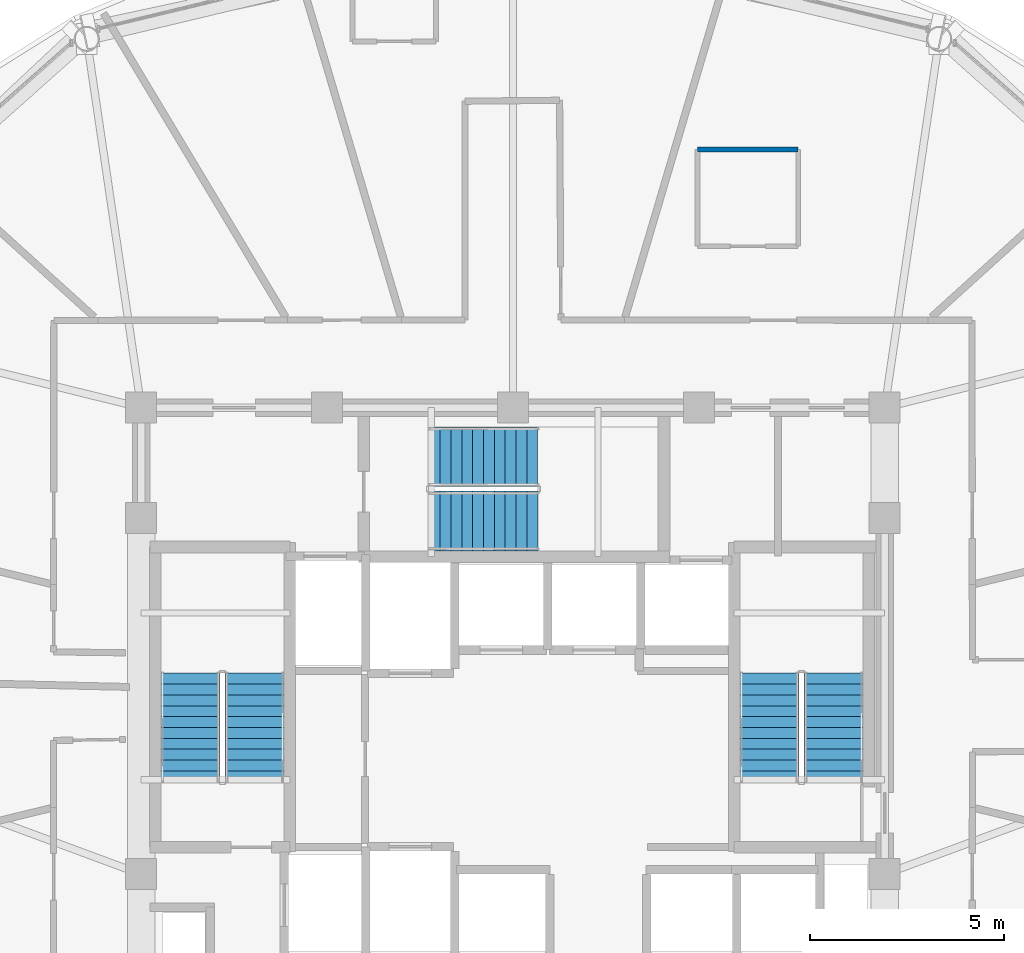
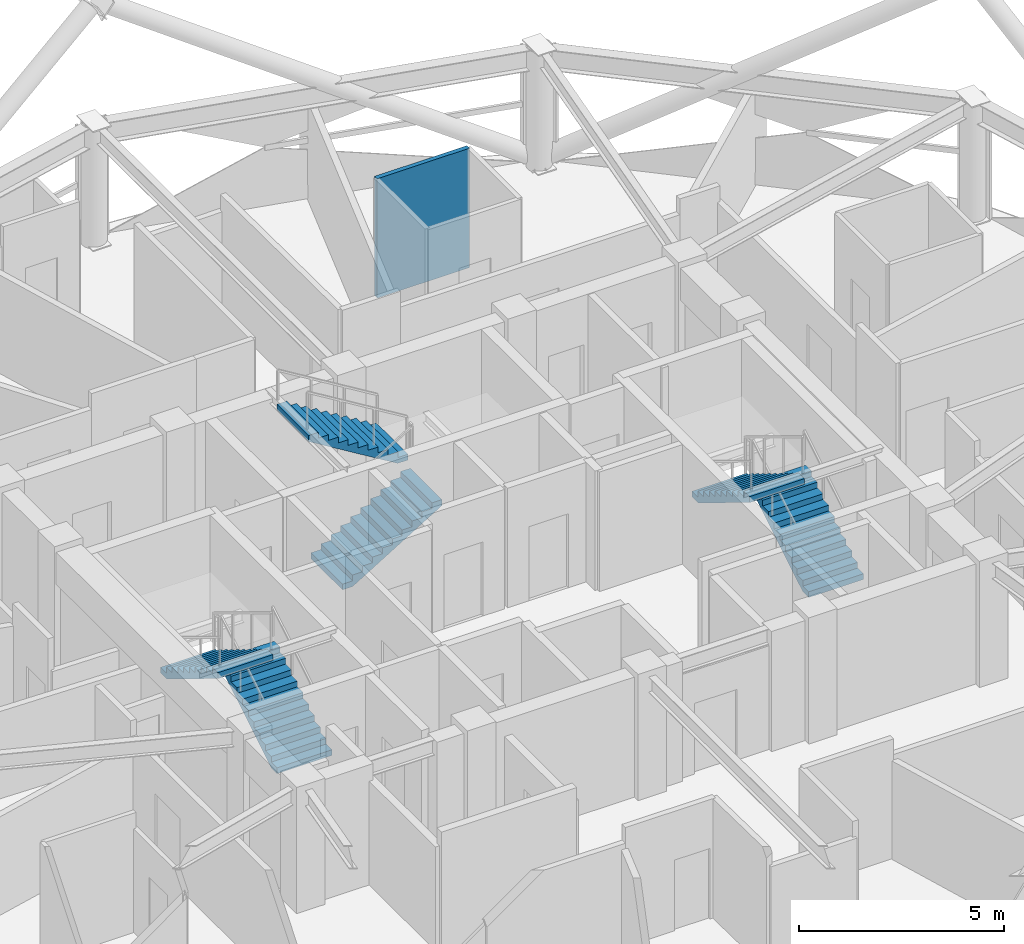
# One storey, part 25 of 29: 6 stair flights, 1 wall, 3 elements without a shape of their own.
"""IFC4 building model written with IfcOpenShell, lengths in metres."""

from ifc_helpers import new_model, si_unit, direction, frame, frame_2d, origin, place, context, subcontext, project, spatial, polyline, rectangle, outline, extrude, material, layer, layer_set, type_object, element, aggregate, save


model = new_model("IFC4")

# Units and contexts
model_context = context("Model", 3, precision=1e-05, world=origin(), true_north=direction((0.0, 1.0)))
body_context = subcontext(model_context, "Body", "Model", "MODEL_VIEW")
ifc_project = project(units=[si_unit("LENGTHUNIT", "METRE"), si_unit("AREAUNIT", "SQUARE_METRE"), si_unit("VOLUMEUNIT", "CUBIC_METRE"), si_unit("PLANEANGLEUNIT", "RADIAN"), si_unit("MASSUNIT", "GRAM", prefix="KILO")], contexts=[model_context])

# Site, building, storey
site_placement = place(None, origin())
site = spatial("IfcSite", under=ifc_project, at=site_placement, CompositionType="ELEMENT")
building_placement = place(site_placement, origin())
building = spatial("IfcBuilding", under=site, at=building_placement, Name="Vantalir Tower", CompositionType="ELEMENT")
storey_placement = place(building_placement, frame((0.0, 0.0, 227.39990234375)))
storey = spatial("IfcBuildingStorey", under=building, at=storey_placement, Name="L57", CompositionType="ELEMENT", Elevation=227.39990234375)

# Wall
ifc_material_1 = material(Name="Moisture-resistant en-suite partition", Category="gypsum")
ifc_layer = layer(ifc_material_1, 0.125)
ifc_layer_set = layer_set([ifc_layer], Name="Moisture-resistant en-suite partition")
wall_type = type_object("IfcWallType", Name="WL-BATH-125", PredefinedType="PARTITIONING", material=ifc_layer_set)
wall_placement = place(storey_placement, frame((36.26708984375, 39.117919921875, 0.0), z_axis=(0.0, 0.0, 1.0), x_axis=(1.0, 0.0, 0.0)))
element("IfcWall", 1, at=wall_placement, inside=storey, type_object=wall_type, Name="L57 En-suite 02 North Wall", PredefinedType="PARTITIONING", context=body_context, shape_type="SweptSolid", body=[
    extrude(rectangle(XDim=2.599853515625, YDim=0.125, at=frame_2d((1.2998046875, 0.0))), origin(), (0.0, 0.0, 1.0), 3.550048828125),
])

# Stair, stair flights
ifc_material_2 = material(Name="Concrete C40/50", Category="concrete")
stair_type = type_object("IfcStairType", Name="STR-CORE-1450", PredefinedType="HALF_TURN_STAIR", material=ifc_material_2)
stair_1_placement = place(storey_placement, origin())
stair_1 = element("IfcStair", 2, at=stair_1_placement, inside=storey, type_object=stair_type, Name="L57 Core Exit Stair 1", PredefinedType="HALF_TURN_STAIR")
stair_flight_type = type_object("IfcStairFlightType", Name="FLT-CORE-1450", PredefinedType="STRAIGHT", material=ifc_material_2)
stair_flight_1_placement = place(storey_placement, frame((24.830078125, 22.7900390625, 0.0), z_axis=(0.0, 0.0, 1.0), x_axis=(0.0, 1.0, 0.0)))
stair_flight_1 = element("IfcStairFlight", 3, at=stair_flight_1_placement, type_object=stair_flight_type, Name="ST1 flight 1", NumberOfRisers=11, NumberOfTreads=10, PredefinedType="STRAIGHT", RiserHeight=0.170454545, TreadLength=0.28, context=body_context, shape_type="SweptSolid", body=[
    extrude(outline(polyline([(0.0, 0.0), (0.0, 0.17041015625), (0.280029296875, 0.17041015625), (0.280029296875, 0.3408203125), (0.56005859375, 0.3408203125), (0.56005859375, 0.511474609375), (0.840087890625, 0.511474609375), (0.840087890625, 0.681884765625), (1.1201171875, 0.681884765625), (1.1201171875, 0.852294921875), (1.39990234375, 0.852294921875), (1.39990234375, 1.022705078125), (1.679931640625, 1.022705078125), (1.679931640625, 1.193115234375), (1.9599609375, 1.193115234375), (1.9599609375, 1.363525390625), (2.239990234375, 1.363525390625), (2.239990234375, 1.5341796875), (2.52001953125, 1.5341796875), (2.52001953125, 1.70458984375), (2.800048828125, 1.70458984375), (2.800048828125, 1.875), (2.800048828125, 1.529052734375), (0.288330078125, 0.0), (0.0, 0.0)])), frame((0.0, 0.77001953125, 0.0), z_axis=(0.0, -1.0, 0.0), x_axis=(1.0, 0.0, 0.0)), (0.0, 0.0, 1.0), 1.5400390625),
])
stair_flight_2_placement = place(storey_placement, frame((23.169921875, 25.590087890625, 1.875), z_axis=(0.0, 0.0, 1.0), x_axis=(0.0, -1.0, 0.0)))
stair_flight_2 = element("IfcStairFlight", 4, at=stair_flight_2_placement, type_object=stair_flight_type, Name="ST1 flight 2", NumberOfRisers=11, NumberOfTreads=10, PredefinedType="STRAIGHT", RiserHeight=0.170454545, TreadLength=0.28, context=body_context, shape_type="SweptSolid", body=[
    extrude(outline(polyline([(0.0, 0.0), (0.0, 0.17041015625), (0.280029296875, 0.17041015625), (0.280029296875, 0.3408203125), (0.56005859375, 0.3408203125), (0.56005859375, 0.511474609375), (0.840087890625, 0.511474609375), (0.840087890625, 0.681884765625), (1.1201171875, 0.681884765625), (1.1201171875, 0.852294921875), (1.39990234375, 0.852294921875), (1.39990234375, 1.022705078125), (1.679931640625, 1.022705078125), (1.679931640625, 1.193115234375), (1.9599609375, 1.193115234375), (1.9599609375, 1.363525390625), (2.239990234375, 1.363525390625), (2.239990234375, 1.5341796875), (2.52001953125, 1.5341796875), (2.52001953125, 1.70458984375), (2.800048828125, 1.70458984375), (2.800048828125, 1.875), (2.800048828125, 1.529052734375), (0.288330078125, 0.0), (0.0, 0.0)])), frame((0.0, 0.77001953125, 0.0), z_axis=(0.0, -1.0, 0.0), x_axis=(1.0, 0.0, 0.0)), (0.0, 0.0, 1.0), 1.5400390625),
])
aggregate(stair_1, [stair_flight_1, stair_flight_2])

stair_2_placement = place(storey_placement, origin())
stair_2 = element("IfcStair", 5, at=stair_2_placement, inside=storey, type_object=stair_type, Name="L57 Core Exit Stair 2", PredefinedType="HALF_TURN_STAIR")
stair_flight_3_placement = place(storey_placement, frame((39.780029296875, 22.7900390625, 0.0), z_axis=(0.0, 0.0, 1.0), x_axis=(0.0, 1.0, 0.0)))
stair_flight_3 = element("IfcStairFlight", 6, at=stair_flight_3_placement, type_object=stair_flight_type, Name="ST2 flight 1", NumberOfRisers=11, NumberOfTreads=10, PredefinedType="STRAIGHT", RiserHeight=0.170454545, TreadLength=0.28, context=body_context, shape_type="SweptSolid", body=[
    extrude(outline(polyline([(0.0, 0.0), (0.0, 0.17041015625), (0.280029296875, 0.17041015625), (0.280029296875, 0.3408203125), (0.56005859375, 0.3408203125), (0.56005859375, 0.511474609375), (0.840087890625, 0.511474609375), (0.840087890625, 0.681884765625), (1.1201171875, 0.681884765625), (1.1201171875, 0.852294921875), (1.39990234375, 0.852294921875), (1.39990234375, 1.022705078125), (1.679931640625, 1.022705078125), (1.679931640625, 1.193115234375), (1.9599609375, 1.193115234375), (1.9599609375, 1.363525390625), (2.239990234375, 1.363525390625), (2.239990234375, 1.5341796875), (2.52001953125, 1.5341796875), (2.52001953125, 1.70458984375), (2.800048828125, 1.70458984375), (2.800048828125, 1.875), (2.800048828125, 1.529052734375), (0.288330078125, 0.0), (0.0, 0.0)])), frame((0.0, 0.77001953125, 0.0), z_axis=(0.0, -1.0, 0.0), x_axis=(1.0, 0.0, 0.0)), (0.0, 0.0, 1.0), 1.5400390625),
])
stair_flight_4_placement = place(storey_placement, frame((38.1201171875, 25.590087890625, 1.875), z_axis=(0.0, 0.0, 1.0), x_axis=(0.0, -1.0, 0.0)))
stair_flight_4 = element("IfcStairFlight", 7, at=stair_flight_4_placement, type_object=stair_flight_type, Name="ST2 flight 2", NumberOfRisers=11, NumberOfTreads=10, PredefinedType="STRAIGHT", RiserHeight=0.170454545, TreadLength=0.28, context=body_context, shape_type="SweptSolid", body=[
    extrude(outline(polyline([(0.0, 0.0), (0.0, 0.17041015625), (0.280029296875, 0.17041015625), (0.280029296875, 0.3408203125), (0.56005859375, 0.3408203125), (0.56005859375, 0.511474609375), (0.840087890625, 0.511474609375), (0.840087890625, 0.681884765625), (1.1201171875, 0.681884765625), (1.1201171875, 0.852294921875), (1.39990234375, 0.852294921875), (1.39990234375, 1.022705078125), (1.679931640625, 1.022705078125), (1.679931640625, 1.193115234375), (1.9599609375, 1.193115234375), (1.9599609375, 1.363525390625), (2.239990234375, 1.363525390625), (2.239990234375, 1.5341796875), (2.52001953125, 1.5341796875), (2.52001953125, 1.70458984375), (2.800048828125, 1.70458984375), (2.800048828125, 1.875), (2.800048828125, 1.529052734375), (0.288330078125, 0.0), (0.0, 0.0)])), frame((0.0, 0.77001953125, 0.0), z_axis=(0.0, -1.0, 0.0), x_axis=(1.0, 0.0, 0.0)), (0.0, 0.0, 1.0), 1.5400390625),
])
aggregate(stair_2, [stair_flight_3, stair_flight_4])

stair_3_placement = place(storey_placement, origin())
stair_3 = element("IfcStair", 8, at=stair_3_placement, inside=storey, type_object=stair_type, Name="L57 Core Exit Stair 3", PredefinedType="HALF_TURN_STAIR")
stair_flight_5_placement = place(storey_placement, frame((29.340087890625, 29.52001953125, 0.0), z_axis=(0.0, 0.0, 1.0), x_axis=(1.0, 0.0, 0.0)))
stair_flight_5 = element("IfcStairFlight", 9, at=stair_flight_5_placement, type_object=stair_flight_type, Name="ST3 flight 1", NumberOfRisers=11, NumberOfTreads=10, PredefinedType="STRAIGHT", RiserHeight=0.170454545, TreadLength=0.28, context=body_context, shape_type="SweptSolid", body=[
    extrude(outline(polyline([(0.0, 0.0), (0.0, 0.17041015625), (0.280029296875, 0.17041015625), (0.280029296875, 0.3408203125), (0.56005859375, 0.3408203125), (0.56005859375, 0.511474609375), (0.840087890625, 0.511474609375), (0.840087890625, 0.681884765625), (1.1201171875, 0.681884765625), (1.1201171875, 0.852294921875), (1.39990234375, 0.852294921875), (1.39990234375, 1.022705078125), (1.679931640625, 1.022705078125), (1.679931640625, 1.193115234375), (1.9599609375, 1.193115234375), (1.9599609375, 1.363525390625), (2.239990234375, 1.363525390625), (2.239990234375, 1.5341796875), (2.52001953125, 1.5341796875), (2.52001953125, 1.70458984375), (2.800048828125, 1.70458984375), (2.800048828125, 1.875), (2.800048828125, 1.529052734375), (0.288330078125, 0.0), (0.0, 0.0)])), frame((0.0, 0.77001953125, 0.0), z_axis=(0.0, -1.0, 0.0), x_axis=(1.0, 0.0, 0.0)), (0.0, 0.0, 1.0), 1.5400390625),
])
stair_flight_6_placement = place(storey_placement, frame((32.139892578125, 31.179931640625, 1.875), z_axis=(0.0, 0.0, 1.0), x_axis=(-1.0, 0.0, 0.0)))
stair_flight_6 = element("IfcStairFlight", 10, at=stair_flight_6_placement, type_object=stair_flight_type, Name="ST3 flight 2", NumberOfRisers=11, NumberOfTreads=10, PredefinedType="STRAIGHT", RiserHeight=0.170454545, TreadLength=0.28, context=body_context, shape_type="SweptSolid", body=[
    extrude(outline(polyline([(0.0, 0.0), (0.0, 0.17041015625), (0.280029296875, 0.17041015625), (0.280029296875, 0.3408203125), (0.56005859375, 0.3408203125), (0.56005859375, 0.511474609375), (0.840087890625, 0.511474609375), (0.840087890625, 0.681884765625), (1.1201171875, 0.681884765625), (1.1201171875, 0.852294921875), (1.39990234375, 0.852294921875), (1.39990234375, 1.022705078125), (1.679931640625, 1.022705078125), (1.679931640625, 1.193115234375), (1.9599609375, 1.193115234375), (1.9599609375, 1.363525390625), (2.239990234375, 1.363525390625), (2.239990234375, 1.5341796875), (2.52001953125, 1.5341796875), (2.52001953125, 1.70458984375), (2.800048828125, 1.70458984375), (2.800048828125, 1.875), (2.800048828125, 1.529052734375), (0.288330078125, 0.0), (0.0, 0.0)])), frame((0.0, 0.77001953125, 0.0), z_axis=(0.0, -1.0, 0.0), x_axis=(1.0, 0.0, 0.0)), (0.0, 0.0, 1.0), 1.5400390625),
])
aggregate(stair_3, [stair_flight_5, stair_flight_6])

save(model, "model.ifc")
